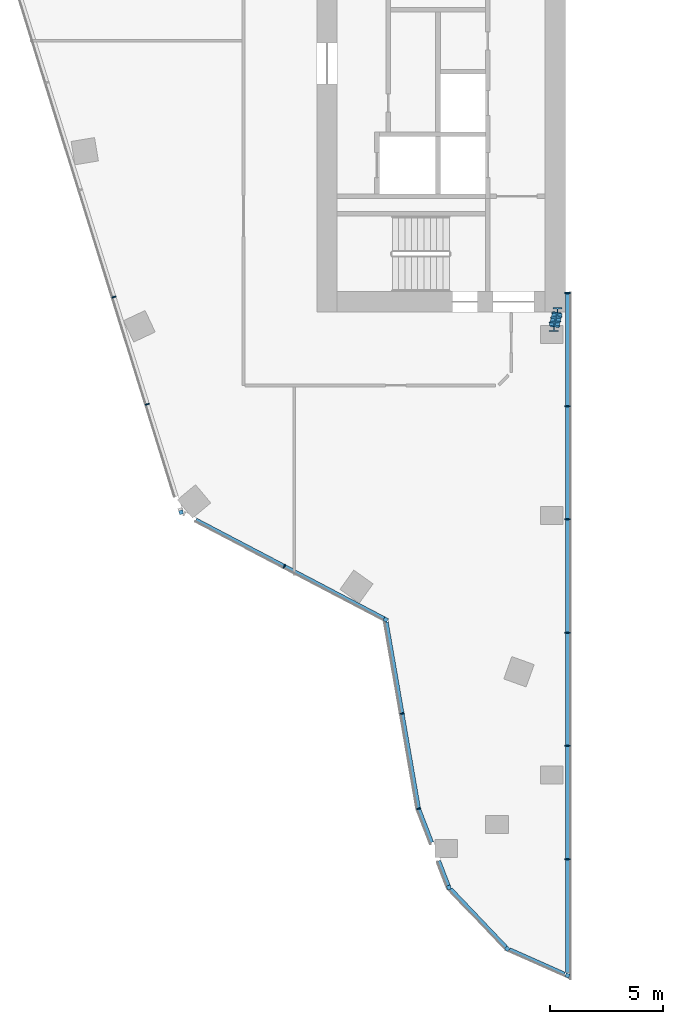
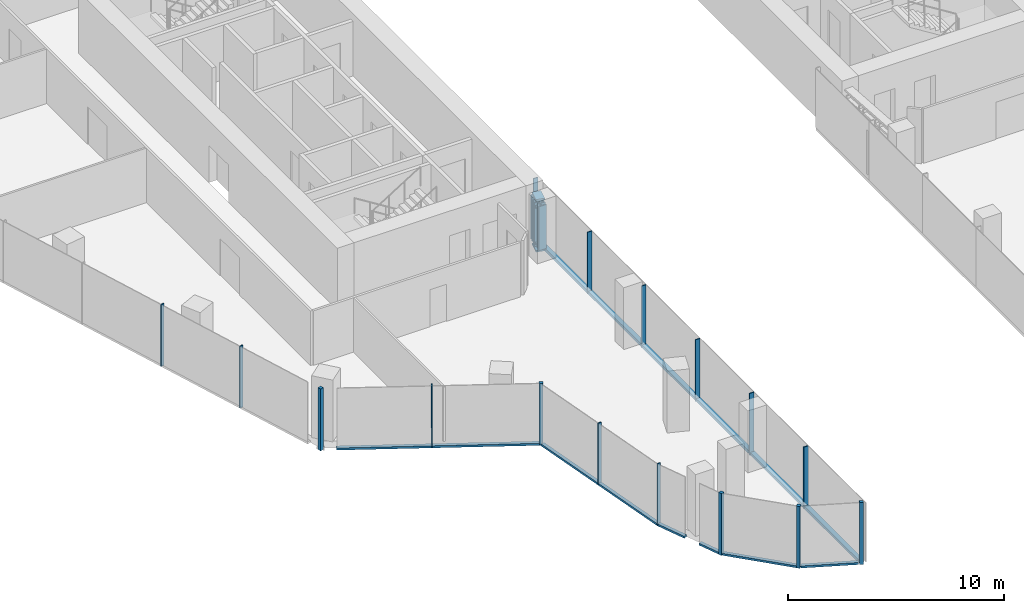
# One storey, part 2 of 23: 29 members, 7 elements without a shape of their own.
"""IFC4 building model written with IfcOpenShell, lengths in metres."""

from ifc_helpers import new_model, si_unit, direction, frame, origin, origin_2d, place, context, subcontext, project, spatial, rectangle, i_section, extrude, material, material_profile, profile_set, type_object, element, aggregate, save


model = new_model("IFC4")

# Units and contexts
model_context = context("Model", 3, precision=1e-05, world=origin(), true_north=direction((0.0, 1.0)))
body_context = subcontext(model_context, "Body", "Model", "MODEL_VIEW")
ifc_project = project(units=[si_unit("LENGTHUNIT", "METRE"), si_unit("AREAUNIT", "SQUARE_METRE"), si_unit("VOLUMEUNIT", "CUBIC_METRE"), si_unit("PLANEANGLEUNIT", "RADIAN"), si_unit("MASSUNIT", "GRAM", prefix="KILO")], contexts=[model_context])

# Site, building, storey
site_placement = place(None, origin())
site = spatial("IfcSite", under=ifc_project, at=site_placement, CompositionType="ELEMENT")
building_placement = place(site_placement, origin())
building = spatial("IfcBuilding", under=site, at=building_placement, Name="Orlundy Tower", CompositionType="ELEMENT")
storey_placement = place(building_placement, frame((0.0, 0.0, 260.5)))
storey = spatial("IfcBuildingStorey", under=building, at=storey_placement, Name="L69", CompositionType="ELEMENT", Elevation=260.5)

# Curtain wall, member
ifc_material_1 = material(Name="Aluminium bronze anodised", Category="aluminium")
curtain_wall_type = type_object("IfcCurtainWallType", Name="CW1 wall", PredefinedType="NOTDEFINED", material=ifc_material_1)
curtain_wall_1_placement = place(storey_placement, origin())
curtain_wall_1 = element("IfcCurtainWall", 1, at=curtain_wall_1_placement, inside=storey, type_object=curtain_wall_type, Name="CW1 run 00", PredefinedType="NOTDEFINED")
ifc_material_2 = material(Name="Aluminium bronze anodised", Category="aluminium")
ifc_material_profile_1 = material_profile(ifc_material_2, rectangle(XDim=0.179931640625, YDim=0.179931640625, at=origin_2d()), Name="CW1 corner post 180x180")
ifc_profile_set_1 = profile_set([ifc_material_profile_1], Name="Aluminium bronze anodised")
member_type_1 = type_object("IfcMemberType", Name="CW1 corner post 180x180", PredefinedType="MULLION", material=ifc_profile_set_1)
member_1_placement = place(storey_placement, frame((-15.9501953125, -25.612060546875, -0.39990234375), z_axis=(0.0, 0.0, 1.0), x_axis=(-0.464324546988, -0.885665125804, 0.0)))
member_1 = element("IfcMember", 2, at=member_1_placement, type_object=member_type_1, Name="CW1 mullion 1", PredefinedType="MULLION", context=body_context, shape_type="SweptSolid", body=[
    extrude(rectangle(XDim=0.179931640625, YDim=0.179931640625, at=origin_2d()), origin(), (0.0, 0.0, 1.0), 3.5),
])

curtain_wall_2_placement = place(storey_placement, origin())
curtain_wall_2 = element("IfcCurtainWall", 3, at=curtain_wall_2_placement, inside=storey, type_object=curtain_wall_type, Name="CW1 run 01", PredefinedType="NOTDEFINED")
member_2_placement = place(storey_placement, frame((-25.009765625, -20.8623046875, -0.39990234375), z_axis=(0.0, 0.0, 1.0), x_axis=(-0.954580158408, -0.297954226643, 0.0)))
member_2 = element("IfcMember", 4, at=member_2_placement, type_object=member_type_1, Name="CW1 mullion 3", PredefinedType="MULLION", context=body_context, shape_type="SweptSolid", body=[
    extrude(rectangle(XDim=0.179931640625, YDim=0.179931640625, at=origin_2d()), origin(), (0.0, 0.0, 1.0), 3.5),
])

curtain_wall_3_placement = place(storey_placement, origin())
curtain_wall_3 = element("IfcCurtainWall", 5, at=curtain_wall_3_placement, inside=storey, type_object=curtain_wall_type, Name="CW1 run 05", PredefinedType="NOTDEFINED")
member_3_placement = place(storey_placement, frame((-7.909912109375, -41.361328125, -0.39990234375), z_axis=(0.0, 0.0, 1.0), x_axis=(-0.405432387581, -0.914125034719, 0.0)))
member_3 = element("IfcMember", 6, at=member_3_placement, type_object=member_type_1, Name="CW1 mullion 30", PredefinedType="MULLION", context=body_context, shape_type="SweptSolid", body=[
    extrude(rectangle(XDim=0.179931640625, YDim=0.179931640625, at=origin_2d()), origin(), (0.0, 0.0, 1.0), 3.5),
])

curtain_wall_4_placement = place(storey_placement, origin())
curtain_wall_4 = element("IfcCurtainWall", 7, at=curtain_wall_4_placement, inside=storey, type_object=curtain_wall_type, Name="CW1 run 06", PredefinedType="NOTDEFINED")
member_4_placement = place(storey_placement, frame((-10.575927734375, -40.178955078125, -0.39990234375), z_axis=(0.0, 0.0, 1.0), x_axis=(-0.724291875351, -0.689493494749, 0.0)))
member_4 = element("IfcMember", 8, at=member_4_placement, type_object=member_type_1, Name="CW1 mullion 31", PredefinedType="MULLION", context=body_context, shape_type="SweptSolid", body=[
    extrude(rectangle(XDim=0.179931640625, YDim=0.179931640625, at=origin_2d()), origin(), (0.0, 0.0, 1.0), 3.5),
])

curtain_wall_5_placement = place(storey_placement, origin())
curtain_wall_5 = element("IfcCurtainWall", 9, at=curtain_wall_5_placement, inside=storey, type_object=curtain_wall_type, Name="CW1 run 07", PredefinedType="NOTDEFINED")
member_5_placement = place(storey_placement, frame((-13.156494140625, -37.468017578125, -0.39990234375), z_axis=(0.0, 0.0, 1.0), x_axis=(-0.933109013885, -0.359593615358, 0.0)))
member_5 = element("IfcMember", 10, at=member_5_placement, type_object=member_type_1, Name="CW1 mullion 32", PredefinedType="MULLION", context=body_context, shape_type="SweptSolid", body=[
    extrude(rectangle(XDim=0.179931640625, YDim=0.179931640625, at=origin_2d()), origin(), (0.0, 0.0, 1.0), 3.5),
])

# Member
ifc_material_3 = material(Name="Aluminium bronze anodised", Category="aluminium")
ifc_material_profile_2 = material_profile(ifc_material_3, rectangle(XDim=0.179931640625, YDim=0.050048828125, at=origin_2d()), Name="CW1 mullion 50x180")
ifc_profile_set_2 = profile_set([ifc_material_profile_2], Name="Aluminium bronze anodised")
member_type_2 = type_object("IfcMemberType", Name="CW1 mullion 50x180", PredefinedType="MULLION", material=ifc_profile_set_2)
member_6_placement = place(storey_placement, frame((-20.44384765625, -23.256103515625, -0.39990234375), z_axis=(0.0, 0.0, 1.0), x_axis=(-0.464324546988, -0.885665125804, 0.0)))
member_6 = element("IfcMember", 11, at=member_6_placement, type_object=member_type_2, Name="CW1 mullion 2", PredefinedType="MULLION", context=body_context, shape_type="SweptSolid", body=[
    extrude(rectangle(XDim=0.179931640625, YDim=0.050048828125, at=origin_2d()), origin(), (0.0, 0.0, 1.0), 3.5),
])

member_7_placement = place(storey_placement, frame((-26.501953125, -16.08203125, -0.39990234375), z_axis=(0.0, 0.0, 1.0), x_axis=(-0.954580158408, -0.297954226643, 0.0)))
member_7 = element("IfcMember", 12, at=member_7_placement, type_object=member_type_2, Name="CW1 mullion 4", PredefinedType="MULLION", context=body_context, shape_type="SweptSolid", body=[
    extrude(rectangle(XDim=0.179931640625, YDim=0.050048828125, at=origin_2d()), origin(), (0.0, 0.0, 1.0), 3.5),
])

member_8_placement = place(storey_placement, frame((-27.98291015625, -11.337158203125, -0.39990234375), z_axis=(0.0, 0.0, 1.0), x_axis=(-0.954580158408, -0.297954226643, 0.0)))
member_8 = element("IfcMember", 13, at=member_8_placement, type_object=member_type_2, Name="CW1 mullion 5", PredefinedType="MULLION", context=body_context, shape_type="SweptSolid", body=[
    extrude(rectangle(XDim=0.179931640625, YDim=0.050048828125, at=origin_2d()), origin(), (0.0, 0.0, 1.0), 3.5),
])

aggregate(curtain_wall_2, [member_2, member_7, member_8])

# Curtain wall, members
curtain_wall_6_placement = place(storey_placement, origin())
curtain_wall_6 = element("IfcCurtainWall", 14, at=curtain_wall_6_placement, inside=storey, type_object=curtain_wall_type, Name="CW1 run 08", PredefinedType="NOTDEFINED")
member_9_placement = place(storey_placement, frame((-14.499267578125, -33.984130859375, -0.39990234375), z_axis=(0.0, 0.0, 1.0), x_axis=(-0.963846106573, -0.266459533219, 0.0)))
member_9 = element("IfcMember", 15, at=member_9_placement, type_object=member_type_2, Name="CW1 mullion 33", PredefinedType="MULLION", context=body_context, shape_type="SweptSolid", body=[
    extrude(rectangle(XDim=0.179931640625, YDim=0.050048828125, at=origin_2d()), origin(), (0.0, 0.0, 1.0), 3.5),
])
member_10_placement = place(storey_placement, frame((-15.229248046875, -29.77197265625, -0.39990234375), z_axis=(0.0, 0.0, 1.0), x_axis=(-0.985312227538, -0.170762449807, 0.0)))
member_10 = element("IfcMember", 16, at=member_10_placement, type_object=member_type_2, Name="CW1 mullion 34", PredefinedType="MULLION", context=body_context, shape_type="SweptSolid", body=[
    extrude(rectangle(XDim=0.179931640625, YDim=0.050048828125, at=origin_2d()), origin(), (0.0, 0.0, 1.0), 3.5),
])

# Member
ifc_material_4 = material(Name="Aluminium bronze anodised", Category="aluminium")
ifc_material_profile_3 = material_profile(ifc_material_4, rectangle(XDim=0.179931640625, YDim=0.1201171875, at=origin_2d()), Name="CW1 transom 180x120")
ifc_profile_set_3 = profile_set([ifc_material_profile_3], Name="Aluminium bronze anodised")
member_type_3 = type_object("IfcMemberType", Name="CW1 transom 180x120", PredefinedType="USERDEFINED", material=ifc_profile_set_3)
member_11_placement = place(storey_placement, frame((-16.02978515625, -25.5703125, -0.340087890625), z_axis=(-0.885668458916, 0.464318189263, 0.0), x_axis=(-0.464318189263, -0.885668458916, 0.0)))
member_11 = element("IfcMember", 17, at=member_11_placement, type_object=member_type_3, Name="CW1 transom", ObjectType="TRANSOM", PredefinedType="USERDEFINED", context=body_context, shape_type="SweptSolid", body=[
    extrude(rectangle(XDim=0.179931640625, YDim=0.1201171875, at=origin_2d()), origin(), (0.0, 0.0, 1.0), 9.4091796875),
])

aggregate(curtain_wall_1, [member_1, member_6, member_11])

member_12_placement = place(storey_placement, frame((-8.036376953125, -41.30517578125, -0.340087890625), z_axis=(-0.914145503169, 0.405386234393, 0.0), x_axis=(-0.405386234393, -0.914145503169, 0.0)))
member_12 = element("IfcMember", 18, at=member_12_placement, type_object=member_type_3, Name="CW1 transom", ObjectType="TRANSOM", PredefinedType="USERDEFINED", context=body_context, shape_type="SweptSolid", body=[
    extrude(rectangle(XDim=0.179931640625, YDim=0.1201171875, at=origin_2d()), origin(), (0.0, 0.0, 1.0), 2.6806640625),
])

aggregate(curtain_wall_3, [member_3, member_12])

member_13_placement = place(storey_placement, frame((-10.637939453125, -40.11376953125, -0.340087890625), z_axis=(-0.689485404708, 0.724299576622, 0.0), x_axis=(-0.724299576622, -0.689485404708, 0.0)))
member_13 = element("IfcMember", 19, at=member_13_placement, type_object=member_type_3, Name="CW1 transom", ObjectType="TRANSOM", PredefinedType="USERDEFINED", context=body_context, shape_type="SweptSolid", body=[
    extrude(rectangle(XDim=0.179931640625, YDim=0.1201171875, at=origin_2d()), origin(), (0.0, 0.0, 1.0), 3.555419921875),
])

aggregate(curtain_wall_4, [member_4, member_13])

member_14_placement = place(storey_placement, frame((-13.18896484375, -37.384033203125, -0.340087890625), z_axis=(-0.359552671878, 0.933124791303, 0.0), x_axis=(-0.933124791303, -0.359552671878, 0.0)))
member_14 = element("IfcMember", 20, at=member_14_placement, type_object=member_type_3, Name="CW1 transom", ObjectType="TRANSOM", PredefinedType="USERDEFINED", context=body_context, shape_type="SweptSolid", body=[
    extrude(rectangle(XDim=0.179931640625, YDim=0.1201171875, at=origin_2d()), origin(), (0.0, 0.0, 1.0), 1.169189453125),
])

member_15_placement = place(storey_placement, frame((-13.924072265625, -35.4765625, -0.340087890625), z_axis=(-0.359623282256, 0.933097580567, 0.0), x_axis=(-0.933097580567, -0.359623282256, 0.0)))
member_15 = element("IfcMember", 21, at=member_15_placement, type_object=member_type_3, Name="CW1 transom", ObjectType="TRANSOM", PredefinedType="USERDEFINED", context=body_context, shape_type="SweptSolid", body=[
    extrude(rectangle(XDim=0.179931640625, YDim=0.1201171875, at=origin_2d()), origin(), (0.0, 0.0, 1.0), 1.57421875),
])

aggregate(curtain_wall_5, [member_5, member_14, member_15])

member_16_placement = place(storey_placement, frame((-14.50341796875, -33.959228515625, -0.340087890625), z_axis=(-0.170761768426, 0.985312345627, 0.0), x_axis=(-0.985312345627, -0.170761768426, 0.0)))
member_16 = element("IfcMember", 22, at=member_16_placement, type_object=member_type_3, Name="CW1 transom", ObjectType="TRANSOM", PredefinedType="USERDEFINED", context=body_context, shape_type="SweptSolid", body=[
    extrude(rectangle(XDim=0.179931640625, YDim=0.1201171875, at=origin_2d()), origin(), (0.0, 0.0, 1.0), 8.358154296875),
])

aggregate(curtain_wall_6, [member_9, member_10, member_16])

# Curtain wall, members
curtain_wall_7_placement = place(storey_placement, origin())
curtain_wall_7 = element("IfcCurtainWall", 23, at=curtain_wall_7_placement, inside=storey, type_object=curtain_wall_type, Name="CW1 run 04", PredefinedType="NOTDEFINED")
ifc_material_5 = material(Name="Aluminium bronze anodised", Category="aluminium")
ifc_material_profile_4 = material_profile(ifc_material_5, rectangle(XDim=0.239990234375, YDim=0.050048828125, at=origin_2d()), Name="CW6 mullion 50x240")
ifc_profile_set_4 = profile_set([ifc_material_profile_4], Name="Aluminium bronze anodised")
member_type_4 = type_object("IfcMemberType", Name="CW6 mullion 50x240", PredefinedType="MULLION", material=ifc_profile_set_4)
member_17_placement = place(storey_placement, frame((-7.909912109375, -11.157470703125, -0.39990234375), z_axis=(0.0, 0.0, 1.0), x_axis=(1.0, 0.0, 0.0)))
member_17 = element("IfcMember", 24, at=member_17_placement, type_object=member_type_4, Name="CW6 mullion 24", PredefinedType="MULLION", context=body_context, shape_type="SweptSolid", body=[
    extrude(rectangle(XDim=0.239990234375, YDim=0.050048828125, at=origin_2d()), origin(), (0.0, 0.0, 1.0), 3.5),
])
member_18_placement = place(storey_placement, frame((-7.909912109375, -16.16845703125, -0.39990234375), z_axis=(0.0, 0.0, 1.0), x_axis=(1.0, 0.0, 0.0)))
member_18 = element("IfcMember", 25, at=member_18_placement, type_object=member_type_4, Name="CW6 mullion 25", PredefinedType="MULLION", context=body_context, shape_type="SweptSolid", body=[
    extrude(rectangle(XDim=0.239990234375, YDim=0.050048828125, at=origin_2d()), origin(), (0.0, 0.0, 1.0), 3.5),
])
member_19_placement = place(storey_placement, frame((-7.909912109375, -21.17919921875, -0.39990234375), z_axis=(0.0, 0.0, 1.0), x_axis=(1.0, 0.0, 0.0)))
member_19 = element("IfcMember", 26, at=member_19_placement, type_object=member_type_4, Name="CW6 mullion 26", PredefinedType="MULLION", context=body_context, shape_type="SweptSolid", body=[
    extrude(rectangle(XDim=0.239990234375, YDim=0.050048828125, at=origin_2d()), origin(), (0.0, 0.0, 1.0), 3.5),
])
member_20_placement = place(storey_placement, frame((-7.909912109375, -26.190185546875, -0.39990234375), z_axis=(0.0, 0.0, 1.0), x_axis=(1.0, 0.0, 0.0)))
member_20 = element("IfcMember", 27, at=member_20_placement, type_object=member_type_4, Name="CW6 mullion 27", PredefinedType="MULLION", context=body_context, shape_type="SweptSolid", body=[
    extrude(rectangle(XDim=0.239990234375, YDim=0.050048828125, at=origin_2d()), origin(), (0.0, 0.0, 1.0), 3.5),
])
member_21_placement = place(storey_placement, frame((-7.909912109375, -31.201171875, -0.39990234375), z_axis=(0.0, 0.0, 1.0), x_axis=(1.0, 0.0, 0.0)))
member_21 = element("IfcMember", 28, at=member_21_placement, type_object=member_type_4, Name="CW6 mullion 28", PredefinedType="MULLION", context=body_context, shape_type="SweptSolid", body=[
    extrude(rectangle(XDim=0.239990234375, YDim=0.050048828125, at=origin_2d()), origin(), (0.0, 0.0, 1.0), 3.5),
])
member_22_placement = place(storey_placement, frame((-7.909912109375, -36.212158203125, -0.39990234375), z_axis=(0.0, 0.0, 1.0), x_axis=(1.0, 0.0, 0.0)))
member_22 = element("IfcMember", 29, at=member_22_placement, type_object=member_type_4, Name="CW6 mullion 29", PredefinedType="MULLION", context=body_context, shape_type="SweptSolid", body=[
    extrude(rectangle(XDim=0.239990234375, YDim=0.050048828125, at=origin_2d()), origin(), (0.0, 0.0, 1.0), 3.5),
])
ifc_material_6 = material(Name="Aluminium bronze anodised", Category="aluminium")
ifc_material_profile_5 = material_profile(ifc_material_6, rectangle(XDim=0.239990234375, YDim=0.159912109375, at=origin_2d()), Name="CW6 transom 240x160")
ifc_profile_set_5 = profile_set([ifc_material_profile_5], Name="Aluminium bronze anodised")
member_type_5 = type_object("IfcMemberType", Name="CW6 transom 240x160", PredefinedType="USERDEFINED", material=ifc_profile_set_5)
member_23_placement = place(storey_placement, frame((-7.8798828125, -11.182373046875, -0.320068359375), z_axis=(0.0, -1.0, 0.0), x_axis=(1.0, 0.0, 0.0)))
member_23 = element("IfcMember", 30, at=member_23_placement, type_object=member_type_5, Name="CW6 transom", ObjectType="TRANSOM", PredefinedType="USERDEFINED", context=body_context, shape_type="SweptSolid", body=[
    extrude(rectangle(XDim=0.239990234375, YDim=0.159912109375, at=origin_2d()), origin(), (0.0, 0.0, 1.0), 30.04052734375),
])
aggregate(curtain_wall_7, [member_17, member_18, member_19, member_20, member_21, member_22, member_23])

# Members
ifc_material_7 = material(Name="Steel ASTM A992 Gr 50", Category="steel")
ifc_material_profile_6 = material_profile(ifc_material_7, i_section(OverallWidth=0.43212890625, OverallDepth=0.497802734375, WebThickness=0.0556640625, FlangeThickness=0.0888671875, at=origin_2d()), Name="W14X500")
ifc_profile_set_6 = profile_set([ifc_material_profile_6], Name="Steel ASTM A992 Gr 50")
member_type_6 = type_object("IfcMemberType", Name="PORTAL EDGE TRUSS chord W14X500", PredefinedType="CHORD", material=ifc_profile_set_6)
for number, where, z_axis, x_axis, name in (
    (31, (-8.35009765625, -12.02001953125, 0.28466796875), (-0.247031311842, -0.969007497891, 0.0), (0.969007497891, -0.247031311842, 0.0), "Portal edge truss bottom chord PE-WS"),
    (32, (-8.35009765625, -12.02001953125, 2.765380859375), (-0.247031311842, -0.969007497891, 0.0), (0.969007497891, -0.247031311842, 0.0), "Portal edge truss top chord PE-WS"),
):
    element("IfcMember", number, at=place(storey_placement, frame(where, z_axis=z_axis, x_axis=x_axis)), inside=storey, type_object=member_type_6, Name=name, PredefinedType="CHORD", context=body_context, shape_type="SweptSolid", body=[
        extrude(i_section(OverallWidth=0.43212890625, OverallDepth=0.497802734375, WebThickness=0.0556640625, FlangeThickness=0.0888671875, at=origin_2d()), origin(), (0.0, 0.0, 1.0), 0.6513671875),
    ])
ifc_material_8 = material(Name="Steel ASTM A992 Gr 50", Category="steel")
ifc_material_profile_7 = material_profile(ifc_material_8, i_section(OverallWidth=0.412109375, OverallDepth=0.434814453125, WebThickness=0.035888671875, FlangeThickness=0.057373046875, at=origin_2d()), Name="W14X311")
ifc_profile_set_7 = profile_set([ifc_material_profile_7], Name="Steel ASTM A992 Gr 50")
member_type_7 = type_object("IfcMemberType", Name="PORTAL EDGE TRUSS post W14X311", PredefinedType="POST", material=ifc_profile_set_7)
for number, where, z_axis, x_axis, name in (
    (33, (-8.35009765625, -12.02001953125, 0.28466796875), (0.0, 0.0, 1.0), (1.0, 0.0, 0.0), "Portal edge truss post PE-WS-0"),
    (34, (-8.40380859375, -12.23046875, 0.28466796875), (0.0, 0.0, 1.0), (1.0, 0.0, 0.0), "Portal edge truss post PE-WS-1"),
    (35, (-8.457275390625, -12.44091796875, 0.28466796875), (0.0, 0.0, 1.0), (1.0, 0.0, 0.0), "Portal edge truss post PE-WS-2"),
    (36, (-8.510986328125, -12.651123046875, 0.28466796875), (0.0, 0.0, 1.0), (1.0, 0.0, 0.0), "Portal edge truss post PE-WS-3"),
):
    element("IfcMember", number, at=place(storey_placement, frame(where, z_axis=z_axis, x_axis=x_axis)), inside=storey, type_object=member_type_7, Name=name, PredefinedType="POST", context=body_context, shape_type="SweptSolid", body=[
        extrude(i_section(OverallWidth=0.412109375, OverallDepth=0.434814453125, WebThickness=0.035888671875, FlangeThickness=0.057373046875, at=origin_2d()), origin(), (0.0, 0.0, 1.0), 2.480712890625),
    ])

save(model, "model.ifc")
